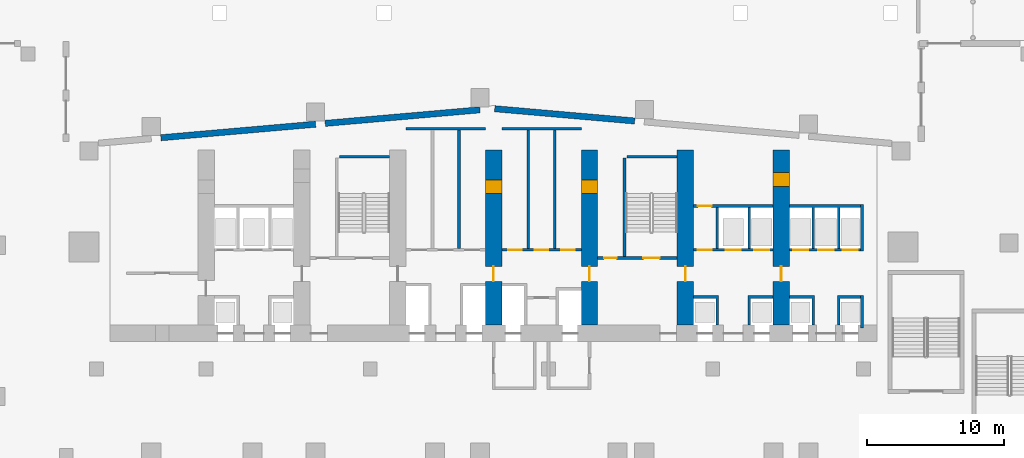
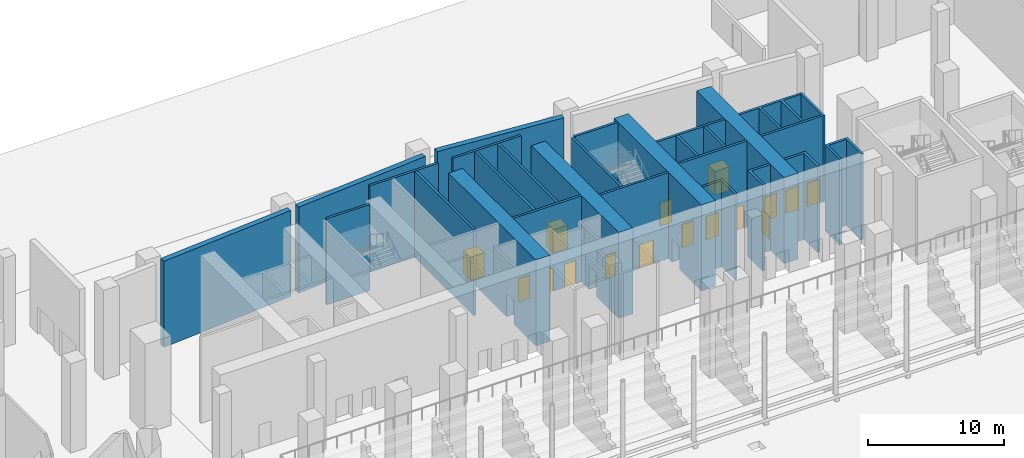
# One storey, part 26 of 41: 29 walls, 19 doors, 19 openings.
"""IFC4 building model written with IfcOpenShell, lengths in metres."""

import ifcopenshell
import ifcopenshell.guid

model = None  # the IFC model being written
_history = None  # IfcOwnerHistory: only IFC2X3 demands one
_inside = {}  # id of a spatial element -> (the spatial element, [elements in it])
_under = {}  # id of a project, library or spatial element -> (it, [spatial elements below it])
_declared = {}  # id of a project -> (the project, [libraries it declares])
_typed = {}  # id of a type object -> (the type object, [elements of that type])
_made_of = {}  # id of a material, layer set ... -> (it, [elements and type objects made of it])


def new_model(schema):
    """Start an empty IFC model of exactly this schema.

    Asked for "IFC4X3", IfcOpenShell would pick the latest addendum, in which some entities
    have other attributes; the version numbers below select the first issue.
    IFC2X3 requires an IfcOwnerHistory on every rooted entity: one is made here for all.
    """
    global model, _history
    if schema == "IFC4X3":
        model = ifcopenshell.file(schema_version=(4, 3, 0, 0))
    else:
        model = ifcopenshell.file(schema=schema)
    _inside.clear()
    _under.clear()
    _declared.clear()
    _typed.clear()
    _made_of.clear()
    _history = None
    if model.schema == "IFC2X3":
        org = make("IfcOrganization", Name="unknown")
        user = make(
            "IfcPersonAndOrganization",
            ThePerson=make("IfcPerson", FamilyName="unknown"),
            TheOrganization=org,
        )
        app = make(
            "IfcApplication",
            ApplicationDeveloper=org,
            Version="unknown",
            ApplicationFullName="unknown",
            ApplicationIdentifier="unknown",
        )
        _history = make(
            "IfcOwnerHistory",
            OwningUser=user,
            OwningApplication=app,
            ChangeAction="ADDED",
            CreationDate=0,
        )
    return model


def make(cls, **values):
    """One entity of the class cls with the attributes given. An attribute that is None is left unset."""
    return model.create_entity(
        cls, **{name: value for name, value in values.items() if value is not None}
    )


def rooted(cls, **values):
    """An entity with a GlobalId (a new one), such as an element, a storey or a relation."""
    return make(cls, GlobalId=ifcopenshell.guid.new(), OwnerHistory=_history, **values)


def si_unit(unit_type, name, prefix=None):
    """IfcSIUnit, for example si_unit("LENGTHUNIT", "METRE", prefix="MILLI")."""
    return make("IfcSIUnit", UnitType=unit_type, Prefix=prefix, Name=name)


def assignment(units):
    """IfcUnitAssignment: the units of a project."""
    return None if units is None else make("IfcUnitAssignment", Units=units)


def point(xyz):
    """IfcCartesianPoint."""
    return None if xyz is None else make("IfcCartesianPoint", Coordinates=xyz)


def direction(xyz):
    """IfcDirection."""
    return None if xyz is None else make("IfcDirection", DirectionRatios=xyz)


def frame(location, z_axis=None, x_axis=None):
    """IfcAxis2Placement3D, a coordinate frame: its origin and axes. An axis left out is left unset."""
    return make(
        "IfcAxis2Placement3D",
        Location=point(location),
        Axis=direction(z_axis),
        RefDirection=direction(x_axis),
    )


def frame_2d(location, x_axis=None):
    """IfcAxis2Placement2D, a coordinate frame in the plane: its origin and x axis."""
    return make(
        "IfcAxis2Placement2D", Location=point(location), RefDirection=direction(x_axis)
    )


def origin():
    """The frame at (0, 0, 0) with its axes left unset."""
    return frame((0.0, 0.0, 0.0))


def place(relative_to, where):
    """IfcLocalPlacement: puts the frame where relative to a parent placement (None: the world)."""
    return make(
        "IfcLocalPlacement", PlacementRelTo=relative_to, RelativePlacement=where
    )


def context(
    kind, dimensions, precision=None, world=None, true_north=None, identifier=None
):
    """IfcGeometricRepresentationContext, for example the 3D "Model" context."""
    return make(
        "IfcGeometricRepresentationContext",
        ContextIdentifier=identifier,
        ContextType=kind,
        CoordinateSpaceDimension=dimensions,
        Precision=precision,
        WorldCoordinateSystem=world,
        TrueNorth=true_north,
    )


def subcontext(parent, identifier, kind, view, scale=None):
    """IfcGeometricRepresentationSubContext, for example "Body" below "Model"."""
    return make(
        "IfcGeometricRepresentationSubContext",
        ContextIdentifier=identifier,
        ContextType=kind,
        ParentContext=parent,
        TargetScale=scale,
        TargetView=view,
    )


def project(units=None, contexts=None):
    """IfcProject with its units and contexts."""
    return rooted(
        "IfcProject",
        Name="project",
        RepresentationContexts=contexts,
        UnitsInContext=assignment(units),
    )


def spatial(cls, under=None, at=None, **own):
    """A site, building, storey or space (cls), placed at a placement, below another one or the project."""
    s = rooted(cls, ObjectPlacement=at, **own)
    if under is not None:
        _under.setdefault(under.id(), (under, []))[1].append(s)
    return s


def polyline(points):
    """IfcPolyline through the points."""
    return make("IfcPolyline", Points=[point(p) for p in points])


def profile(cls, at=None, kind="AREA", **sizes):
    """A parametric profile (cls). Its sizes go by their IFC names, for example OverallWidth=200.0."""
    return make(cls, ProfileType=kind, Position=at, **sizes)


def rectangle(**sizes):
    """IfcRectangleProfileDef."""
    return profile("IfcRectangleProfileDef", **sizes)


def outline(outer, holes=None, kind="AREA"):
    """IfcArbitraryClosedProfileDef: a profile drawn as a closed curve; with holes, ...WithVoids."""
    if holes is None:
        return make("IfcArbitraryClosedProfileDef", ProfileType=kind, OuterCurve=outer)
    return make(
        "IfcArbitraryProfileDefWithVoids",
        ProfileType=kind,
        OuterCurve=outer,
        InnerCurves=holes,
    )


def extrude(swept, where, along, depth):
    """IfcExtrudedAreaSolid: the profile swept, set in the frame where, extruded along a direction by depth."""
    return make(
        "IfcExtrudedAreaSolid",
        SweptArea=swept,
        Position=where,
        ExtrudedDirection=direction(along),
        Depth=depth,
    )


def shape(context_of_items, identifier, shape_type, items):
    """IfcShapeRepresentation: the items that make up one representation, for example the "Body"."""
    return make(
        "IfcShapeRepresentation",
        ContextOfItems=context_of_items,
        RepresentationIdentifier=identifier,
        RepresentationType=shape_type,
        Items=items,
    )


def material(Name=None, Category=None):
    """IfcMaterial."""
    return make("IfcMaterial", Name=Name, Category=Category)


def layer(
    of_material, thickness, ventilated=None, Name=None, Category=None, Priority=None
):
    """IfcMaterialLayer: one layer of a wall or slab, of a material (None: an air gap)."""
    return make(
        "IfcMaterialLayer",
        Material=of_material,
        LayerThickness=thickness,
        IsVentilated=ventilated,
        Name=Name,
        Category=Category,
        Priority=Priority,
    )


def layer_set(layers, Name=None):
    """IfcMaterialLayerSet."""
    return make("IfcMaterialLayerSet", MaterialLayers=layers, LayerSetName=Name)


def made_of(thing, what):
    """Note that an element or type object is made of a material, layer set ...; save() writes the relation."""
    if what is not None:
        _made_of.setdefault(what.id(), (what, []))[1].append(thing)
    return thing


def type_object(cls, material=None, **own):
    """A type object (cls), such as IfcWallType, which elements share."""
    return made_of(rooted(cls, **own), material)


def element(
    cls,
    number,
    at=None,
    inside=None,
    cuts=None,
    type_object=None,
    material=None,
    context=None,
    identifier="Body",
    shape_type=None,
    held_by="IfcProductDefinitionShape",
    body=None,
    shapes=None,
    **own,
):
    """One element of the class cls, such as IfcWall. Its Tag is "e" and its number.

    at: its placement. inside: the storey or other place that contains it. cuts: it is an
    opening in that element (IfcRelVoidsElement). A single representation is given by context,
    identifier, shape_type and body (its items); several are given by shapes. held_by: the class
    of the entity that holds the representations. save() writes the other relations.
    """
    e = rooted(cls, Tag="e%d" % number, ObjectPlacement=at, **own)
    if body is not None:
        shapes = [shape(context, identifier, shape_type, body)]
    if shapes is not None:
        e.Representation = make(held_by, Representations=shapes)
    if inside is not None:
        _inside.setdefault(inside.id(), (inside, []))[1].append(e)
    if cuts is not None:
        rooted(
            "IfcRelVoidsElement", RelatingBuildingElement=cuts, RelatedOpeningElement=e
        )
    if type_object is not None:
        _typed.setdefault(type_object.id(), (type_object, []))[1].append(e)
    return made_of(e, material)


def fill(opening, filler):
    """IfcRelFillsElement: the door or window that sits in an opening."""
    return rooted(
        "IfcRelFillsElement",
        RelatingOpeningElement=opening,
        RelatedBuildingElement=filler,
    )


def aggregate(whole, parts):
    """IfcRelAggregates: a whole, such as a stair, and the parts it consists of."""
    return rooted("IfcRelAggregates", RelatingObject=whole, RelatedObjects=parts)


def save(model, path):
    """Write the relations noted so far, then the file.

    IfcRelAggregates (storeys below a building ...), IfcRelContainedInSpatialStructure (elements
    in a storey), IfcRelDefinesByType, IfcRelAssociatesMaterial and IfcRelDeclares: one each for
    every whole, place, type object, material and project.
    """
    for whole, parts in _under.values():
        aggregate(whole, parts)
    for where, things in _inside.values():
        rooted(
            "IfcRelContainedInSpatialStructure",
            RelatedElements=things,
            RelatingStructure=where,
        )
    for kind, things in _typed.values():
        rooted("IfcRelDefinesByType", RelatedObjects=things, RelatingType=kind)
    for what, things in _made_of.values():
        rooted("IfcRelAssociatesMaterial", RelatedObjects=things, RelatingMaterial=what)
    for by, libraries in _declared.values():
        rooted("IfcRelDeclares", RelatingContext=by, RelatedDefinitions=libraries)
    model.write(path)


model = new_model("IFC4")

# Units and contexts
model_context = context("Model", 3, precision=1e-05, world=origin(), true_north=direction((0.0, 1.0)))
body_context = subcontext(model_context, "Body", "Model", "MODEL_VIEW")
ifc_project = project(units=[si_unit("LENGTHUNIT", "METRE"), si_unit("AREAUNIT", "SQUARE_METRE"), si_unit("VOLUMEUNIT", "CUBIC_METRE"), si_unit("PLANEANGLEUNIT", "RADIAN"), si_unit("MASSUNIT", "GRAM", prefix="KILO")], contexts=[model_context])

# Site, building, storey
site_placement = place(None, origin())
site = spatial("IfcSite", under=ifc_project, at=site_placement, CompositionType="ELEMENT")
building_placement = place(site_placement, origin())
building = spatial("IfcBuilding", under=site, at=building_placement, Name="Wharfspan Tower", CompositionType="ELEMENT")
storey_placement = place(building_placement, origin())
storey = spatial("IfcBuildingStorey", under=building, at=storey_placement, Name="L00", CompositionType="ELEMENT", Elevation=0.0)

# Walls
ifc_material_1 = material(Name="Calcium silicate masonry", Category="masonry")
ifc_layer_1 = layer(ifc_material_1, 0.199951)
ifc_layer_set_1 = layer_set([ifc_layer_1], Name="Calcium silicate masonry")
wall_type_1 = type_object("IfcWallType", Name="Core room wall 200", PredefinedType="PARTITIONING", material=ifc_layer_set_1)
wall_1_placement = place(storey_placement, frame((30.600098, 49.55249, 0.0), z_axis=(0.0, 0.0, 1.0), x_axis=(1.0, 0.0, 0.0)))
element("IfcWall", 1, at=wall_1_placement, inside=storey, type_object=wall_type_1, Name="sw:L00:RS3", PredefinedType="PARTITIONING", context=body_context, shape_type="SweptSolid", body=[
    extrude(rectangle(XDim=5.799805, YDim=0.199951, at=frame_2d((2.899902, 0.0))), origin(), (0.0, 0.0, 1.0), 7.699951),
])
wall_2_placement = place(storey_placement, frame((34.466797, 40.800049, 0.0), z_axis=(0.0, 0.0, 1.0), x_axis=(0.0, 1.0, 0.0)))
element("IfcWall", 2, at=wall_2_placement, inside=storey, type_object=wall_type_1, Name="sw:L00:RP3.2", PredefinedType="PARTITIONING", context=body_context, shape_type="SweptSolid", body=[
    extrude(rectangle(XDim=8.652588, YDim=0.199951, at=frame_2d((4.326172, 0.0))), origin(), (0.0, 0.0, 1.0), 7.699951),
])
wall_3_placement = place(storey_placement, frame((37.600098, 49.55249, 0.0), z_axis=(0.0, 0.0, 1.0), x_axis=(1.0, 0.0, 0.0)))
element("IfcWall", 3, at=wall_3_placement, inside=storey, type_object=wall_type_1, Name="sw:L00:RS4", PredefinedType="PARTITIONING", context=body_context, shape_type="SweptSolid", body=[
    extrude(rectangle(XDim=5.799805, YDim=0.199951, at=frame_2d((2.899902, 0.0))), origin(), (0.0, 0.0, 1.0), 7.699951),
])
for number, where, z_axis, x_axis, name in (
    (4, (39.533203, 40.800049, 0.0), (0.0, 0.0, 1.0), (0.0, 1.0, 0.0), "sw:L00:RP4.1"),
    (5, (41.466797, 40.800049, 0.0), (0.0, 0.0, 1.0), (0.0, 1.0, 0.0), "sw:L00:RP4.2"),
):
    element("IfcWall", number, at=place(storey_placement, frame(where, z_axis=z_axis, x_axis=x_axis)), inside=storey, type_object=wall_type_1, Name=name, PredefinedType="PARTITIONING", context=body_context, shape_type="SweptSolid", body=[
        extrude(rectangle(XDim=8.652588, YDim=0.199951, at=frame_2d((4.326172, 0.0))), origin(), (0.0, 0.0, 1.0), 7.699951),
    ])

# Wall, openings, doors
ifc_material_2 = material(Name="Concrete C70/85", Category="concrete")
ifc_layer_2 = layer(ifc_material_2, 1.199951)
ifc_layer_set_2 = layer_set([ifc_layer_2], Name="Concrete C70/85")
wall_type_2 = type_object("IfcWallType", Name="Core wall fallback 1.2", PredefinedType="SHEAR", material=ifc_layer_set_2)
wall_4_placement = place(storey_placement, frame((37.0, 35.199951, 0.0), z_axis=(0.0, 0.0, 1.0), x_axis=(0.0, 1.0, 0.0)))
wall_4 = element("IfcWall", 6, at=wall_4_placement, inside=storey, type_object=wall_type_2, Name="cw:L00:X4", PredefinedType="SHEAR", context=body_context, shape_type="SweptSolid", body=[
    extrude(rectangle(XDim=12.800049, YDim=1.199951, at=frame_2d((6.399902, 0.0))), origin(), (0.0, 0.0, 1.0), 7.699951),
])
opening_1_placement = place(wall_4_placement, frame((3.199951, 0.0, 0.0)))
opening_1 = element("IfcOpeningElement", 7, at=opening_1_placement, cuts=wall_4, Name="Opening CC00.4", PredefinedType="OPENING", context=body_context, shape_type="SweptSolid", body=[
    extrude(rectangle(XDim=1.100098, YDim=2.100098, at=frame_2d((0.550049, 1.050049))), frame((0.0, 0.609863, 0.0), z_axis=(0.0, -1.0, 0.0), x_axis=(1.0, 0.0, 0.0)), (0.0, 0.0, 1.0), 1.219971),
])
opening_2_placement = place(wall_4_placement, frame((9.600098, 0.0, 0.0)))
opening_2 = element("IfcOpeningElement", 8, at=opening_2_placement, cuts=wall_4, Name="Opening CR00.4", PredefinedType="OPENING", context=body_context, shape_type="SweptSolid", body=[
    extrude(rectangle(XDim=1.0, YDim=2.100098, at=frame_2d((0.5, 1.050049))), frame((0.0, 0.609863, 0.0), z_axis=(0.0, -1.0, 0.0), x_axis=(1.0, 0.0, 0.0)), (0.0, 0.0, 1.0), 1.219971),
])
ifc_material_3 = material(Name="Steel door leaf", Category="steel")
door_type_1 = type_object("IfcDoorType", Name="Core corridor door 1100x2100", OperationType="SINGLE_SWING_LEFT", PredefinedType="DOOR", material=ifc_material_3)
door_1_placement = place(opening_1_placement, origin())
door_1 = element("IfcDoor", 9, at=door_1_placement, inside=storey, type_object=door_type_1, Name="xd:L00:4", OperationType="SINGLE_SWING_RIGHT", OverallHeight=2.100098, OverallWidth=1.100098, PredefinedType="DOOR", context=body_context, shape_type="SweptSolid", body=[
    extrude(rectangle(XDim=1.100098, YDim=2.100098, at=frame_2d((0.550049, 1.050049))), frame((0.0, 0.024902, 0.0), z_axis=(0.0, -1.0, 0.0), x_axis=(1.0, 0.0, 0.0)), (0.0, 0.0, 1.0), 0.050049),
])
fill(opening_1, door_1)
door_type_2 = type_object("IfcDoorType", Name="Core room door 1000x2100", OperationType="SINGLE_SWING_LEFT", PredefinedType="DOOR", material=ifc_material_3)
door_2_placement = place(opening_2_placement, origin())
door_2 = element("IfcDoor", 10, at=door_2_placement, inside=storey, type_object=door_type_2, Name="xr:L00:4", OperationType="SINGLE_SWING_RIGHT", OverallHeight=2.100098, OverallWidth=1.0, PredefinedType="DOOR", context=body_context, shape_type="SweptSolid", body=[
    extrude(rectangle(XDim=1.0, YDim=2.100098, at=frame_2d((0.5, 1.050049))), frame((0.0, 0.599609, 0.0), z_axis=(0.0, -1.0, 0.0), x_axis=(1.0, 0.0, 0.0)), (0.0, 0.0, 1.0), 1.199463),
])
fill(opening_2, door_2)

wall_5_placement = place(storey_placement, frame((44.0, 35.199951, 0.0), z_axis=(0.0, 0.0, 1.0), x_axis=(0.0, 1.0, 0.0)))
wall_5 = element("IfcWall", 11, at=wall_5_placement, inside=storey, type_object=wall_type_2, Name="cw:L00:X5", PredefinedType="SHEAR", context=body_context, shape_type="SweptSolid", body=[
    extrude(rectangle(XDim=12.800049, YDim=1.199951, at=frame_2d((6.399902, 0.0))), origin(), (0.0, 0.0, 1.0), 7.699951),
])
opening_3_placement = place(wall_5_placement, frame((3.199951, 0.0, 0.0)))
opening_3 = element("IfcOpeningElement", 12, at=opening_3_placement, cuts=wall_5, Name="Opening CC00.5", PredefinedType="OPENING", context=body_context, shape_type="SweptSolid", body=[
    extrude(rectangle(XDim=1.100098, YDim=2.100098, at=frame_2d((0.550049, 1.050049))), frame((0.0, 0.609863, 0.0), z_axis=(0.0, -1.0, 0.0), x_axis=(1.0, 0.0, 0.0)), (0.0, 0.0, 1.0), 1.219971),
])
opening_4_placement = place(wall_5_placement, frame((9.600098, 0.0, 0.0)))
opening_4 = element("IfcOpeningElement", 13, at=opening_4_placement, cuts=wall_5, Name="Opening CR00.5", PredefinedType="OPENING", context=body_context, shape_type="SweptSolid", body=[
    extrude(rectangle(XDim=1.0, YDim=2.100098, at=frame_2d((0.5, 1.050049))), frame((0.0, 0.609863, 0.0), z_axis=(0.0, -1.0, 0.0), x_axis=(1.0, 0.0, 0.0)), (0.0, 0.0, 1.0), 1.219971),
])
door_3_placement = place(opening_3_placement, origin())
door_3 = element("IfcDoor", 14, at=door_3_placement, inside=storey, type_object=door_type_1, Name="xd:L00:5", OperationType="SINGLE_SWING_LEFT", OverallHeight=2.100098, OverallWidth=1.100098, PredefinedType="DOOR", context=body_context, shape_type="SweptSolid", body=[
    extrude(rectangle(XDim=1.100098, YDim=2.100098, at=frame_2d((0.550049, 1.050049))), frame((0.0, 0.024902, 0.0), z_axis=(0.0, -1.0, 0.0), x_axis=(1.0, 0.0, 0.0)), (0.0, 0.0, 1.0), 0.050049),
])
fill(opening_3, door_3)
door_4_placement = place(opening_4_placement, origin())
door_4 = element("IfcDoor", 15, at=door_4_placement, inside=storey, type_object=door_type_2, Name="xr:L00:5", OperationType="SINGLE_SWING_RIGHT", OverallHeight=2.100098, OverallWidth=1.0, PredefinedType="DOOR", context=body_context, shape_type="SweptSolid", body=[
    extrude(rectangle(XDim=1.0, YDim=2.100098, at=frame_2d((0.5, 1.050049))), frame((0.0, 0.599609, 0.0), z_axis=(0.0, -1.0, 0.0), x_axis=(1.0, 0.0, 0.0)), (0.0, 0.0, 1.0), 1.199463),
])
fill(opening_4, door_4)

# Wall, opening, door
wall_6_placement = place(storey_placement, frame((51.0, 35.199951, 0.0), z_axis=(0.0, 0.0, 1.0), x_axis=(0.0, 1.0, 0.0)))
wall_6 = element("IfcWall", 16, at=wall_6_placement, inside=storey, type_object=wall_type_2, Name="cw:L00:X6", PredefinedType="SHEAR", context=body_context, shape_type="SweptSolid", body=[
    extrude(rectangle(XDim=12.800049, YDim=1.199951, at=frame_2d((6.399902, 0.0))), origin(), (0.0, 0.0, 1.0), 7.699951),
])
opening_5_placement = place(wall_6_placement, frame((3.199951, 0.0, 0.0)))
opening_5 = element("IfcOpeningElement", 17, at=opening_5_placement, cuts=wall_6, Name="Opening CC00.6", PredefinedType="OPENING", context=body_context, shape_type="SweptSolid", body=[
    extrude(rectangle(XDim=1.100098, YDim=2.100098, at=frame_2d((0.550049, 1.050049))), frame((0.0, 0.609863, 0.0), z_axis=(0.0, -1.0, 0.0), x_axis=(1.0, 0.0, 0.0)), (0.0, 0.0, 1.0), 1.219971),
])
door_5_placement = place(opening_5_placement, origin())
door_5 = element("IfcDoor", 18, at=door_5_placement, inside=storey, type_object=door_type_1, Name="xd:L00:6", OperationType="SINGLE_SWING_RIGHT", OverallHeight=2.100098, OverallWidth=1.100098, PredefinedType="DOOR", context=body_context, shape_type="SweptSolid", body=[
    extrude(rectangle(XDim=1.100098, YDim=2.100098, at=frame_2d((0.550049, 1.050049))), frame((0.0, 0.024902, 0.0), z_axis=(0.0, -1.0, 0.0), x_axis=(1.0, 0.0, 0.0)), (0.0, 0.0, 1.0), 0.050049),
])
fill(opening_5, door_5)

# Wall, openings, doors
wall_7_placement = place(storey_placement, frame((58.0, 35.199951, 0.0), z_axis=(0.0, 0.0, 1.0), x_axis=(0.0, 1.0, 0.0)))
wall_7 = element("IfcWall", 19, at=wall_7_placement, inside=storey, type_object=wall_type_2, Name="cw:L00:X7", PredefinedType="SHEAR", context=body_context, shape_type="SweptSolid", body=[
    extrude(rectangle(XDim=12.800049, YDim=1.199951, at=frame_2d((6.399902, 0.0))), origin(), (0.0, 0.0, 1.0), 7.699951),
])
opening_6_placement = place(wall_7_placement, frame((10.133789, 0.0, 0.0)))
opening_6 = element("IfcOpeningElement", 20, at=opening_6_placement, cuts=wall_7, Name="Opening CD00.7X", PredefinedType="OPENING", context=body_context, shape_type="SweptSolid", body=[
    extrude(rectangle(XDim=1.0, YDim=2.100098, at=frame_2d((0.5, 1.050049))), frame((0.0, 0.609863, 0.0), z_axis=(0.0, -1.0, 0.0), x_axis=(1.0, 0.0, 0.0)), (0.0, 0.0, 1.0), 1.219971),
])
opening_7_placement = place(wall_7_placement, frame((3.199951, 0.0, 0.0)))
opening_7 = element("IfcOpeningElement", 21, at=opening_7_placement, cuts=wall_7, Name="Opening CC00.7", PredefinedType="OPENING", context=body_context, shape_type="SweptSolid", body=[
    extrude(rectangle(XDim=1.100098, YDim=2.100098, at=frame_2d((0.550049, 1.050049))), frame((0.0, 0.609863, 0.0), z_axis=(0.0, -1.0, 0.0), x_axis=(1.0, 0.0, 0.0)), (0.0, 0.0, 1.0), 1.219971),
])
door_6_placement = place(opening_7_placement, origin())
door_6 = element("IfcDoor", 22, at=door_6_placement, inside=storey, type_object=door_type_1, Name="xd:L00:7", OperationType="SINGLE_SWING_LEFT", OverallHeight=2.100098, OverallWidth=1.100098, PredefinedType="DOOR", context=body_context, shape_type="SweptSolid", body=[
    extrude(rectangle(XDim=1.100098, YDim=2.100098, at=frame_2d((0.550049, 1.050049))), frame((0.0, 0.024902, 0.0), z_axis=(0.0, -1.0, 0.0), x_axis=(1.0, 0.0, 0.0)), (0.0, 0.0, 1.0), 0.050049),
])
fill(opening_7, door_6)
door_7_placement = place(opening_6_placement, origin())
door_7 = element("IfcDoor", 23, at=door_7_placement, inside=storey, type_object=door_type_2, Name="d:L00:7:sx", OperationType="SINGLE_SWING_LEFT", OverallHeight=2.100098, OverallWidth=1.0, PredefinedType="DOOR", context=body_context, shape_type="SweptSolid", body=[
    extrude(rectangle(XDim=1.0, YDim=2.100098, at=frame_2d((0.5, 1.050049))), frame((0.0, 0.599609, 0.0), z_axis=(0.0, -1.0, 0.0), x_axis=(1.0, 0.0, 0.0)), (0.0, 0.0, 1.0), 1.199463),
])
fill(opening_6, door_7)

ifc_material_4 = material(Name="Concrete C30/37", Category="concrete")
ifc_layer_3 = layer(ifc_material_4, 0.199951)
ifc_layer_set_3 = layer_set([ifc_layer_3], Name="Concrete C30/37")
wall_type_3 = type_object("IfcWallType", Name="Lift shaft wall 200", PredefinedType="PARTITIONING", material=ifc_layer_set_3)
wall_8_placement = place(storey_placement, frame((37.600098, 40.699951, 0.0), z_axis=(0.0, 0.0, 1.0), x_axis=(1.0, 0.0, 0.0)))
wall_8 = element("IfcWall", 24, at=wall_8_placement, inside=storey, type_object=wall_type_3, Name="sw:L00:RF4", PredefinedType="PARTITIONING", context=body_context, shape_type="SweptSolid", body=[
    extrude(rectangle(XDim=5.799805, YDim=0.199951, at=frame_2d((2.899902, 0.0))), origin(), (0.0, 0.0, 1.0), 7.699951),
])
opening_8_placement = place(wall_8_placement, frame((0.466797, 0.0, 0.0)))
opening_8 = element("IfcOpeningElement", 25, at=opening_8_placement, cuts=wall_8, Name="Opening CD00.4S", PredefinedType="OPENING", context=body_context, shape_type="SweptSolid", body=[
    extrude(rectangle(XDim=1.0, YDim=2.100098, at=frame_2d((0.5, 1.050049))), frame((0.0, 0.109863, 0.0), z_axis=(0.0, -1.0, 0.0), x_axis=(1.0, 0.0, 0.0)), (0.0, 0.0, 1.0), 0.219971),
])
opening_9_placement = place(wall_8_placement, frame((2.399902, 0.0, 0.0)))
opening_9 = element("IfcOpeningElement", 26, at=opening_9_placement, cuts=wall_8, Name="Opening CD00.4Sa", PredefinedType="OPENING", context=body_context, shape_type="SweptSolid", body=[
    extrude(rectangle(XDim=1.0, YDim=2.100098, at=frame_2d((0.5, 1.050049))), frame((0.0, 0.109863, 0.0), z_axis=(0.0, -1.0, 0.0), x_axis=(1.0, 0.0, 0.0)), (0.0, 0.0, 1.0), 0.219971),
])
opening_10_placement = place(wall_8_placement, frame((4.333252, 0.0, 0.0)))
opening_10 = element("IfcOpeningElement", 27, at=opening_10_placement, cuts=wall_8, Name="Opening CD00.4Sb", PredefinedType="OPENING", context=body_context, shape_type="SweptSolid", body=[
    extrude(rectangle(XDim=1.0, YDim=2.100098, at=frame_2d((0.5, 1.050049))), frame((0.0, 0.109863, 0.0), z_axis=(0.0, -1.0, 0.0), x_axis=(1.0, 0.0, 0.0)), (0.0, 0.0, 1.0), 0.219971),
])
door_8_placement = place(opening_8_placement, origin())
door_8 = element("IfcDoor", 28, at=door_8_placement, inside=storey, type_object=door_type_2, Name="d:L00:4:sf", OperationType="SINGLE_SWING_LEFT", OverallHeight=2.100098, OverallWidth=1.0, PredefinedType="DOOR", context=body_context, shape_type="SweptSolid", body=[
    extrude(rectangle(XDim=1.0, YDim=2.100098, at=frame_2d((0.5, 1.050049))), frame((0.0, 0.024902, 0.0), z_axis=(0.0, -1.0, 0.0), x_axis=(1.0, 0.0, 0.0)), (0.0, 0.0, 1.0), 0.050049),
])
fill(opening_8, door_8)
door_9_placement = place(opening_9_placement, origin())
door_9 = element("IfcDoor", 29, at=door_9_placement, inside=storey, type_object=door_type_2, Name="d:L00:4:sf1", OperationType="SINGLE_SWING_LEFT", OverallHeight=2.100098, OverallWidth=1.0, PredefinedType="DOOR", context=body_context, shape_type="SweptSolid", body=[
    extrude(rectangle(XDim=1.0, YDim=2.100098, at=frame_2d((0.5, 1.050049))), frame((0.0, 0.024902, 0.0), z_axis=(0.0, -1.0, 0.0), x_axis=(1.0, 0.0, 0.0)), (0.0, 0.0, 1.0), 0.050049),
])
fill(opening_9, door_9)
door_10_placement = place(opening_10_placement, origin())
door_10 = element("IfcDoor", 30, at=door_10_placement, inside=storey, type_object=door_type_2, Name="d:L00:4:sf2", OperationType="SINGLE_SWING_LEFT", OverallHeight=2.100098, OverallWidth=1.0, PredefinedType="DOOR", context=body_context, shape_type="SweptSolid", body=[
    extrude(rectangle(XDim=1.0, YDim=2.100098, at=frame_2d((0.5, 1.050049))), frame((0.0, 0.024902, 0.0), z_axis=(0.0, -1.0, 0.0), x_axis=(1.0, 0.0, 0.0)), (0.0, 0.0, 1.0), 0.050049),
])
fill(opening_10, door_10)

wall_9_placement = place(storey_placement, frame((51.600098, 40.699951, 0.0), z_axis=(0.0, 0.0, 1.0), x_axis=(1.0, 0.0, 0.0)))
wall_9 = element("IfcWall", 31, at=wall_9_placement, inside=storey, type_object=wall_type_3, Name="sw:L00:RF6", PredefinedType="PARTITIONING", context=body_context, shape_type="SweptSolid", body=[
    extrude(rectangle(XDim=5.799805, YDim=0.199951, at=frame_2d((2.899902, 0.0))), origin(), (0.0, 0.0, 1.0), 7.699951),
])
opening_11_placement = place(wall_9_placement, frame((0.31665, 0.0, 0.0)))
opening_11 = element("IfcOpeningElement", 32, at=opening_11_placement, cuts=wall_9, Name="Opening CD00.6R1", PredefinedType="OPENING", context=body_context, shape_type="SweptSolid", body=[
    extrude(rectangle(XDim=1.0, YDim=2.100098, at=frame_2d((0.5, 1.050049))), frame((0.0, 0.109863, 0.0), z_axis=(0.0, -1.0, 0.0), x_axis=(1.0, 0.0, 0.0)), (0.0, 0.0, 1.0), 0.219971),
])
opening_12_placement = place(wall_9_placement, frame((2.350098, 0.0, 0.0)))
opening_12 = element("IfcOpeningElement", 33, at=opening_12_placement, cuts=wall_9, Name="Opening LD.LS3.L00", PredefinedType="OPENING", context=body_context, shape_type="SweptSolid", body=[
    extrude(rectangle(XDim=1.100098, YDim=2.100098, at=frame_2d((0.550049, 1.050049))), frame((0.0, 0.109863, 0.0), z_axis=(0.0, -1.0, 0.0), x_axis=(1.0, 0.0, 0.0)), (0.0, 0.0, 1.0), 0.219971),
])
opening_13_placement = place(wall_9_placement, frame((4.43335, 0.0, 0.0)))
opening_13 = element("IfcOpeningElement", 34, at=opening_13_placement, cuts=wall_9, Name="Opening LD.LS4.L00", PredefinedType="OPENING", context=body_context, shape_type="SweptSolid", body=[
    extrude(rectangle(XDim=1.100098, YDim=2.100098, at=frame_2d((0.550049, 1.050049))), frame((0.0, 0.109863, 0.0), z_axis=(0.0, -1.0, 0.0), x_axis=(1.0, 0.0, 0.0)), (0.0, 0.0, 1.0), 0.219971),
])
door_11_placement = place(opening_11_placement, origin())
door_11 = element("IfcDoor", 35, at=door_11_placement, inside=storey, type_object=door_type_2, Name="d:L00:6:rd6.1", OperationType="SINGLE_SWING_RIGHT", OverallHeight=2.100098, OverallWidth=1.0, PredefinedType="DOOR", context=body_context, shape_type="SweptSolid", body=[
    extrude(rectangle(XDim=1.0, YDim=2.100098, at=frame_2d((0.5, 1.050049))), frame((0.0, 0.024902, 0.0), z_axis=(0.0, -1.0, 0.0), x_axis=(1.0, 0.0, 0.0)), (0.0, 0.0, 1.0), 0.050049),
])
fill(opening_11, door_11)
ifc_material_5 = material(Name="Stainless steel", Category="steel")
door_type_3 = type_object("IfcDoorType", Name="Lift landing door 1100x2100", OperationType="DOUBLE_DOOR_SLIDING", PredefinedType="DOOR", material=ifc_material_5)
door_12_placement = place(opening_12_placement, origin())
door_12 = element("IfcDoor", 36, at=door_12_placement, inside=storey, type_object=door_type_3, Name="Landing door LS3 L00", OperationType="DOUBLE_DOOR_SLIDING", OverallHeight=2.100098, OverallWidth=1.100098, PredefinedType="DOOR", context=body_context, shape_type="SweptSolid", body=[
    extrude(rectangle(XDim=1.100098, YDim=2.100098, at=frame_2d((0.550049, 1.050049))), frame((0.0, 0.024902, 0.0), z_axis=(0.0, -1.0, 0.0), x_axis=(1.0, 0.0, 0.0)), (0.0, 0.0, 1.0), 0.050049),
])
fill(opening_12, door_12)
door_13_placement = place(opening_13_placement, origin())
door_13 = element("IfcDoor", 37, at=door_13_placement, inside=storey, type_object=door_type_3, Name="Landing door LS4 L00", OperationType="DOUBLE_DOOR_SLIDING", OverallHeight=2.100098, OverallWidth=1.100098, PredefinedType="DOOR", context=body_context, shape_type="SweptSolid", body=[
    extrude(rectangle(XDim=1.100098, YDim=2.100098, at=frame_2d((0.550049, 1.050049))), frame((0.0, 0.024902, 0.0), z_axis=(0.0, -1.0, 0.0), x_axis=(1.0, 0.0, 0.0)), (0.0, 0.0, 1.0), 0.050049),
])
fill(opening_13, door_13)

# Wall, opening, door
wall_10_placement = place(storey_placement, frame((51.600098, 43.899902, 0.0), z_axis=(0.0, 0.0, 1.0), x_axis=(1.0, 0.0, 0.0)))
wall_10 = element("IfcWall", 38, at=wall_10_placement, inside=storey, type_object=wall_type_3, Name="sw:L00:RR6", PredefinedType="PARTITIONING", context=body_context, shape_type="SweptSolid", body=[
    extrude(rectangle(XDim=5.799805, YDim=0.199951, at=frame_2d((2.899902, 0.0))), origin(), (0.0, 0.0, 1.0), 7.699951),
])
opening_14_placement = place(wall_10_placement, frame((0.31665, 0.0, 0.0)))
opening_14 = element("IfcOpeningElement", 39, at=opening_14_placement, cuts=wall_10, Name="Opening CD00.6S1", PredefinedType="OPENING", context=body_context, shape_type="SweptSolid", body=[
    extrude(rectangle(XDim=1.0, YDim=2.100098, at=frame_2d((0.5, 1.050049))), frame((0.0, 0.109863, 0.0), z_axis=(0.0, -1.0, 0.0), x_axis=(1.0, 0.0, 0.0)), (0.0, 0.0, 1.0), 0.219971),
])
door_14_placement = place(opening_14_placement, origin())
door_14 = element("IfcDoor", 40, at=door_14_placement, inside=storey, type_object=door_type_2, Name="d:L00:6:rs6.1", OperationType="SINGLE_SWING_LEFT", OverallHeight=2.100098, OverallWidth=1.0, PredefinedType="DOOR", context=body_context, shape_type="SweptSolid", body=[
    extrude(rectangle(XDim=1.0, YDim=2.100098, at=frame_2d((0.5, 1.050049))), frame((0.0, 0.024902, 0.0), z_axis=(0.0, -1.0, 0.0), x_axis=(1.0, 0.0, 0.0)), (0.0, 0.0, 1.0), 0.050049),
])
fill(opening_14, door_14)

# Walls
wall_11_placement = place(storey_placement, frame((0.0, 0.0, -0.000244)))
element("IfcWall", 41, at=wall_11_placement, inside=storey, type_object=wall_type_3, Name="sw:L00:FM6.0", PredefinedType="PARTITIONING", context=body_context, shape_type="SweptSolid", body=[
    extrude(outline(polyline([(53.233398, 37.149902), (51.600098, 37.149902), (51.600098, 37.350098), (53.233398, 37.350098), (53.43335, 37.350098), (53.43335, 35.199951), (53.233398, 35.199951), (53.233398, 37.149902)])), origin(), (0.0, 0.0, 1.0), 7.700195),
])
wall_12_placement = place(storey_placement, frame((0.0, 0.0, -0.000244)))
element("IfcWall", 42, at=wall_12_placement, inside=storey, type_object=wall_type_3, Name="sw:L00:FM6.1", PredefinedType="PARTITIONING", context=body_context, shape_type="SweptSolid", body=[
    extrude(outline(polyline([(55.56665, 37.350098), (55.766602, 37.350098), (57.399902, 37.350098), (57.399902, 37.149902), (55.766602, 37.149902), (55.766602, 35.199951), (55.56665, 35.199951), (55.56665, 37.350098)])), origin(), (0.0, 0.0, 1.0), 7.700195),
])
wall_13_placement = place(storey_placement, frame((0.0, 0.0, -0.000244)))
element("IfcWall", 43, at=wall_13_placement, inside=storey, type_object=wall_type_3, Name="sw:L00:RM6.0", PredefinedType="PARTITIONING", context=body_context, shape_type="SweptSolid", body=[
    extrude(outline(polyline([(53.233398, 40.800049), (53.233398, 43.800049), (53.43335, 43.800049), (53.43335, 40.800049), (53.233398, 40.800049)])), origin(), (0.0, 0.0, 1.0), 7.700195),
])
wall_14_placement = place(storey_placement, frame((0.0, 0.0, -0.000244)))
element("IfcWall", 44, at=wall_14_placement, inside=storey, type_object=wall_type_3, Name="sw:L00:RM6.1", PredefinedType="PARTITIONING", context=body_context, shape_type="SweptSolid", body=[
    extrude(outline(polyline([(55.56665, 40.800049), (55.56665, 43.800049), (55.766602, 43.800049), (55.766602, 40.800049), (55.56665, 40.800049)])), origin(), (0.0, 0.0, 1.0), 7.700195),
])

# Wall, openings, doors
wall_15_placement = place(storey_placement, frame((58.600098, 40.699951, 0.0), z_axis=(0.0, 0.0, 1.0), x_axis=(1.0, 0.0, 0.0)))
wall_15 = element("IfcWall", 45, at=wall_15_placement, inside=storey, type_object=wall_type_3, Name="sw:L00:RF7", PredefinedType="PARTITIONING", context=body_context, shape_type="SweptSolid", body=[
    extrude(rectangle(XDim=5.199951, YDim=0.199951, at=frame_2d((2.600098, 0.0))), origin(), (0.0, 0.0, 1.0), 7.699951),
])
opening_15_placement = place(wall_15_placement, frame((0.266602, 0.0, 0.0)))
opening_15 = element("IfcOpeningElement", 46, at=opening_15_placement, cuts=wall_15, Name="Opening LD.LA8.L00", PredefinedType="OPENING", context=body_context, shape_type="SweptSolid", body=[
    extrude(rectangle(XDim=1.100098, YDim=2.100098, at=frame_2d((0.550049, 1.050049))), frame((0.0, 0.109863, 0.0), z_axis=(0.0, -1.0, 0.0), x_axis=(1.0, 0.0, 0.0)), (0.0, 0.0, 1.0), 0.219971),
])
opening_16_placement = place(wall_15_placement, frame((2.116699, 0.0, 0.0)))
opening_16 = element("IfcOpeningElement", 47, at=opening_16_placement, cuts=wall_15, Name="Opening LD.LA9.L00", PredefinedType="OPENING", context=body_context, shape_type="SweptSolid", body=[
    extrude(rectangle(XDim=1.100098, YDim=2.100098, at=frame_2d((0.550049, 1.050049))), frame((0.0, 0.109863, 0.0), z_axis=(0.0, -1.0, 0.0), x_axis=(1.0, 0.0, 0.0)), (0.0, 0.0, 1.0), 0.219971),
])
opening_17_placement = place(wall_15_placement, frame((3.899902, 0.0, 0.0)))
opening_17 = element("IfcOpeningElement", 48, at=opening_17_placement, cuts=wall_15, Name="Opening LD.LA10.L00", PredefinedType="OPENING", context=body_context, shape_type="SweptSolid", body=[
    extrude(rectangle(XDim=1.100098, YDim=2.100098, at=frame_2d((0.550049, 1.050049))), frame((0.0, 0.109863, 0.0), z_axis=(0.0, -1.0, 0.0), x_axis=(1.0, 0.0, 0.0)), (0.0, 0.0, 1.0), 0.219971),
])
door_15_placement = place(opening_15_placement, origin())
door_15 = element("IfcDoor", 49, at=door_15_placement, inside=storey, type_object=door_type_3, Name="Landing door LA8 L00", OperationType="DOUBLE_DOOR_SLIDING", OverallHeight=2.100098, OverallWidth=1.100098, PredefinedType="DOOR", context=body_context, shape_type="SweptSolid", body=[
    extrude(rectangle(XDim=1.100098, YDim=2.100098, at=frame_2d((0.550049, 1.050049))), frame((0.0, 0.024902, 0.0), z_axis=(0.0, -1.0, 0.0), x_axis=(1.0, 0.0, 0.0)), (0.0, 0.0, 1.0), 0.050049),
])
fill(opening_15, door_15)
door_16_placement = place(opening_16_placement, origin())
door_16 = element("IfcDoor", 50, at=door_16_placement, inside=storey, type_object=door_type_3, Name="Landing door LA9 L00", OperationType="DOUBLE_DOOR_SLIDING", OverallHeight=2.100098, OverallWidth=1.100098, PredefinedType="DOOR", context=body_context, shape_type="SweptSolid", body=[
    extrude(rectangle(XDim=1.100098, YDim=2.100098, at=frame_2d((0.550049, 1.050049))), frame((0.0, 0.024902, 0.0), z_axis=(0.0, -1.0, 0.0), x_axis=(1.0, 0.0, 0.0)), (0.0, 0.0, 1.0), 0.050049),
])
fill(opening_16, door_16)
door_17_placement = place(opening_17_placement, origin())
door_17 = element("IfcDoor", 51, at=door_17_placement, inside=storey, type_object=door_type_3, Name="Landing door LA10 L00", OperationType="DOUBLE_DOOR_SLIDING", OverallHeight=2.100098, OverallWidth=1.100098, PredefinedType="DOOR", context=body_context, shape_type="SweptSolid", body=[
    extrude(rectangle(XDim=1.100098, YDim=2.100098, at=frame_2d((0.550049, 1.050049))), frame((0.0, 0.024902, 0.0), z_axis=(0.0, -1.0, 0.0), x_axis=(1.0, 0.0, 0.0)), (0.0, 0.0, 1.0), 0.050049),
])
fill(opening_17, door_17)

# Walls
wall_16_placement = place(storey_placement, frame((0.0, 0.0, -0.000244)))
element("IfcWall", 52, at=wall_16_placement, inside=storey, type_object=wall_type_3, Name="sw:L00:FM7.0", PredefinedType="PARTITIONING", context=body_context, shape_type="SweptSolid", body=[
    extrude(outline(polyline([(60.233398, 37.149902), (58.600098, 37.149902), (58.600098, 37.350098), (60.233398, 37.350098), (60.43335, 37.350098), (60.43335, 35.199951), (60.233398, 35.199951), (60.233398, 37.149902)])), origin(), (0.0, 0.0, 1.0), 7.700195),
])
wall_17_placement = place(storey_placement, frame((0.0, 0.0, -0.000244)))
element("IfcWall", 53, at=wall_17_placement, inside=storey, type_object=wall_type_3, Name="sw:L00:FM7.1", PredefinedType="PARTITIONING", context=body_context, shape_type="SweptSolid", body=[
    extrude(outline(polyline([(62.100098, 37.350098), (62.300049, 37.350098), (63.800049, 37.350098), (63.800049, 37.149902), (62.300049, 37.149902), (62.300049, 35.199951), (62.100098, 35.199951), (62.100098, 37.350098)])), origin(), (0.0, 0.0, 1.0), 7.700195),
])
wall_18_placement = place(storey_placement, frame((0.0, 0.0, -0.000244)))
element("IfcWall", 54, at=wall_18_placement, inside=storey, type_object=wall_type_3, Name="sw:L00:RM7.0", PredefinedType="PARTITIONING", context=body_context, shape_type="SweptSolid", body=[
    extrude(outline(polyline([(60.43335, 40.800049), (60.233398, 40.800049), (60.233398, 43.800049), (58.600098, 43.800049), (58.600098, 44.0), (63.800049, 44.0), (63.800049, 43.800049), (62.300049, 43.800049), (62.300049, 40.800049), (62.100098, 40.800049), (62.100098, 43.800049), (60.43335, 43.800049), (60.43335, 40.800049)])), origin(), (0.0, 0.0, 1.0), 7.700195),
])
wall_19_placement = place(storey_placement, frame((63.899902, 35.0, 0.0), z_axis=(0.0, 0.0, 1.0), x_axis=(0.0, 1.0, 0.0)))
element("IfcWall", 55, at=wall_19_placement, inside=storey, type_object=wall_type_3, Name="sw:L00:ECF7", PredefinedType="PARTITIONING", context=body_context, shape_type="SweptSolid", body=[
    extrude(rectangle(XDim=2.350098, YDim=0.199951, at=frame_2d((1.175049, 0.0))), origin(), (0.0, 0.0, 1.0), 7.699951),
])
wall_20_placement = place(storey_placement, frame((63.899902, 40.600098, 0.0), z_axis=(0.0, 0.0, 1.0), x_axis=(0.0, 1.0, 0.0)))
element("IfcWall", 56, at=wall_20_placement, inside=storey, type_object=wall_type_3, Name="sw:L00:ECR7", PredefinedType="PARTITIONING", context=body_context, shape_type="SweptSolid", body=[
    extrude(rectangle(XDim=3.399902, YDim=0.199951, at=frame_2d((1.699951, 0.0))), origin(), (0.0, 0.0, 1.0), 7.699951),
])
ifc_material_6 = material(Name="Concrete C40/50", Category="concrete")
ifc_layer_4 = layer(ifc_material_6, 0.199951)
ifc_layer_set_4 = layer_set([ifc_layer_4], Name="Concrete C40/50")
wall_type_4 = type_object("IfcWallType", Name="Stair shaft wall 200", PredefinedType="SHEAR", material=ifc_layer_set_4)
wall_21_placement = place(storey_placement, frame((25.75, 47.5, 0.0), z_axis=(0.0, 0.0, 1.0), x_axis=(1.0, 0.0, 0.0)))
element("IfcWall", 57, at=wall_21_placement, inside=storey, type_object=wall_type_4, Name="ST1 stair enclosure wall L00", PredefinedType="SHEAR", context=body_context, shape_type="SweptSolid", body=[
    extrude(rectangle(XDim=3.649902, YDim=0.199951, at=frame_2d((1.824951, 0.0))), origin(), (0.0, 0.0, 1.0), 7.699951),
])

# Wall, openings, doors
wall_22_placement = place(storey_placement, frame((44.600098, 40.100098, 0.0), z_axis=(0.0, 0.0, 1.0), x_axis=(1.0, 0.0, 0.0)))
wall_22 = element("IfcWall", 58, at=wall_22_placement, inside=storey, type_object=wall_type_4, Name="ST2 stair enclosure wall L00", PredefinedType="SHEAR", context=body_context, shape_type="SweptSolid", body=[
    extrude(rectangle(XDim=5.799805, YDim=0.199951, at=frame_2d((2.899902, 0.0))), origin(), (0.0, 0.0, 1.0), 7.699951),
])
opening_18_placement = place(wall_22_placement, frame((3.324951, 0.0, 0.0)))
opening_18 = element("IfcOpeningElement", 59, at=opening_18_placement, cuts=wall_22, Name="Opening SD5.L00", PredefinedType="OPENING", context=body_context, shape_type="SweptSolid", body=[
    extrude(rectangle(XDim=1.199951, YDim=2.100098, at=frame_2d((0.600098, 1.050049))), frame((0.0, 0.109863, 0.0), z_axis=(0.0, -1.0, 0.0), x_axis=(1.0, 0.0, 0.0)), (0.0, 0.0, 1.0), 0.219971),
])
opening_19_placement = place(wall_22_placement, frame((0.475098, 0.0, 0.0)))
opening_19 = element("IfcOpeningElement", 60, at=opening_19_placement, cuts=wall_22, Name="Opening CD00.5R", PredefinedType="OPENING", context=body_context, shape_type="SweptSolid", body=[
    extrude(rectangle(XDim=0.899902, YDim=2.100098, at=frame_2d((0.449951, 1.050049))), frame((0.0, 0.109863, 0.0), z_axis=(0.0, -1.0, 0.0), x_axis=(1.0, 0.0, 0.0)), (0.0, 0.0, 1.0), 0.219971),
])
door_18_placement = place(opening_19_placement, origin())
door_18 = element("IfcDoor", 61, at=door_18_placement, inside=storey, type_object=door_type_2, Name="rk:L00:5", OperationType="SINGLE_SWING_LEFT", OverallHeight=2.100098, OverallWidth=0.899902, PredefinedType="DOOR", context=body_context, shape_type="SweptSolid", body=[
    extrude(rectangle(XDim=0.899902, YDim=2.100098, at=frame_2d((0.449951, 1.050049))), frame((0.0, 0.024902, 0.0), z_axis=(0.0, -1.0, 0.0), x_axis=(1.0, 0.0, 0.0)), (0.0, 0.0, 1.0), 0.050049),
])
fill(opening_19, door_18)
door_type_4 = type_object("IfcDoorType", Name="Stair door 1200x2100", OperationType="SINGLE_SWING_LEFT", PredefinedType="DOOR", material=ifc_material_3)
door_19_placement = place(opening_18_placement, origin())
door_19 = element("IfcDoor", 62, at=door_19_placement, inside=storey, type_object=door_type_4, Name="sd:L00:5", OperationType="SINGLE_SWING_RIGHT", OverallHeight=2.100098, OverallWidth=1.199951, PredefinedType="DOOR", context=body_context, shape_type="SweptSolid", body=[
    extrude(rectangle(XDim=1.199951, YDim=2.100098, at=frame_2d((0.600098, 1.050049))), frame((0.0, 0.024902, 0.0), z_axis=(0.0, -1.0, 0.0), x_axis=(1.0, 0.0, 0.0)), (0.0, 0.0, 1.0), 0.050049),
])
fill(opening_18, door_19)

# Walls
wall_23_placement = place(storey_placement, frame((46.550049, 40.199951, 0.0), z_axis=(0.0, 0.0, 1.0), x_axis=(0.0, 1.0, 0.0)))
element("IfcWall", 63, at=wall_23_placement, inside=storey, type_object=wall_type_4, Name="ST2 stair enclosure wall L00", PredefinedType="SHEAR", context=body_context, shape_type="SweptSolid", body=[
    extrude(rectangle(XDim=7.199951, YDim=0.199951, at=frame_2d((3.600098, 0.0))), origin(), (0.0, 0.0, 1.0), 7.699951),
])
wall_24_placement = place(storey_placement, frame((46.75, 47.5, 0.0), z_axis=(0.0, 0.0, 1.0), x_axis=(1.0, 0.0, 0.0)))
element("IfcWall", 64, at=wall_24_placement, inside=storey, type_object=wall_type_4, Name="ST2 stair enclosure wall L00", PredefinedType="SHEAR", context=body_context, shape_type="SweptSolid", body=[
    extrude(rectangle(XDim=3.649902, YDim=0.199951, at=frame_2d((1.824951, 0.0))), origin(), (0.0, 0.0, 1.0), 7.699951),
])
ifc_layer_5 = layer(ifc_material_6, 0.449951)
ifc_layer_set_5 = layer_set([ifc_layer_5], Name="Concrete C40/50")
wall_type_5 = type_object("IfcWallType", Name="WALL BOARD-MARKED CONCRETE 450", PredefinedType="SOLIDWALL", material=ifc_layer_set_5)
wall_25_placement = place(storey_placement, frame((47.300537, 50.110107, 0.0), z_axis=(0.0, 0.0, 1.0), x_axis=(-0.996195, 0.087143, 0.0)))
element("IfcWall", 65, at=wall_25_placement, inside=storey, type_object=wall_type_5, Name="Podium wall PF7", PredefinedType="SOLIDWALL", context=body_context, shape_type="SweptSolid", body=[
    extrude(rectangle(XDim=10.259521, YDim=0.449951, at=frame_2d((5.129883, 0.0))), origin(), (0.0, 0.0, 1.0), 7.699951),
])
for number, where, z_axis, x_axis, name in (
    (66, (35.999756, 50.923584, 0.0), (0.0, 0.0, 1.0), (-0.996195, -0.087145, 0.0), "Podium wall PF8"),
    (67, (23.999756, 49.873779, 0.0), (0.0, 0.0, 1.0), (-0.996195, -0.087145, 0.0), "Podium wall PF8"),
):
    element("IfcWall", number, at=place(storey_placement, frame(where, z_axis=z_axis, x_axis=x_axis)), inside=storey, type_object=wall_type_5, Name=name, PredefinedType="SOLIDWALL", context=body_context, shape_type="SweptSolid", body=[
        extrude(rectangle(XDim=11.343506, YDim=0.449951, at=frame_2d((5.671875, 0.0))), origin(), (0.0, 0.0, 1.0), 7.699951),
    ])

save(model, "model.ifc")
